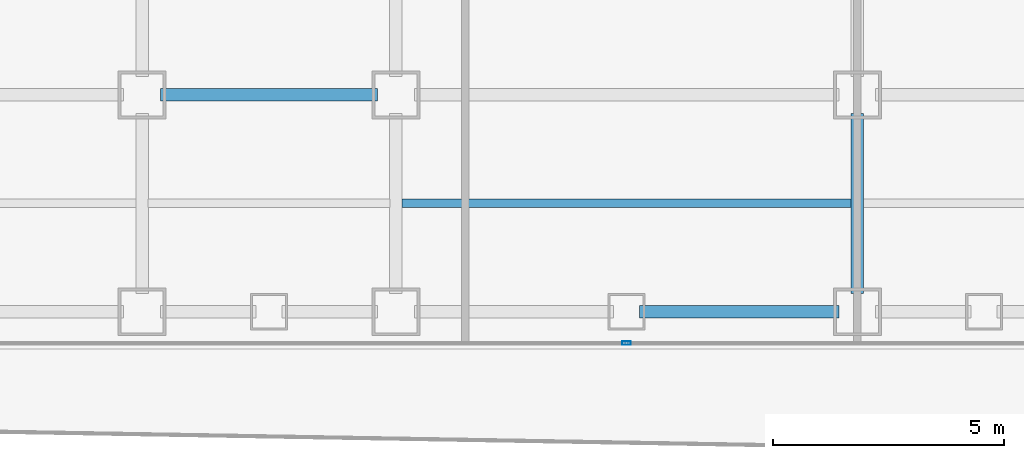
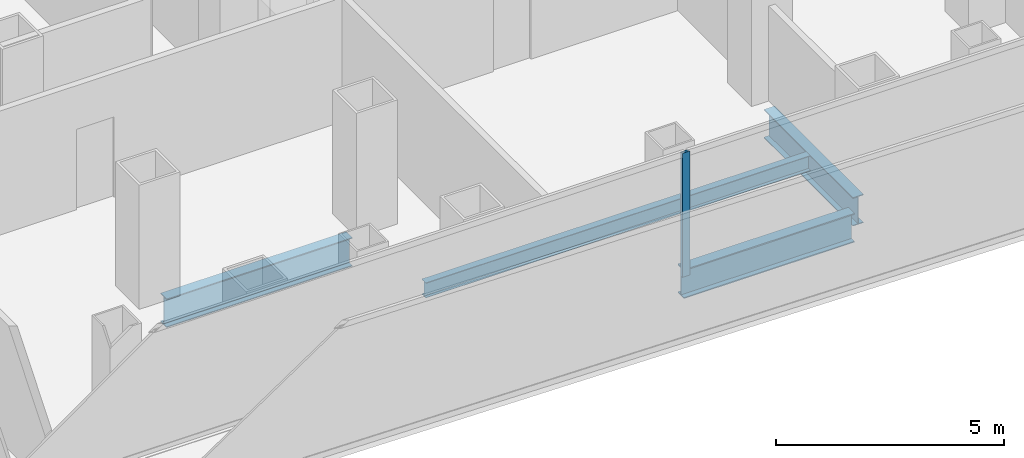
# One storey, part 4 of 21: 4 beams, 1 member, 1 element without a shape of its own.
"""IFC4 building model written with IfcOpenShell, lengths in metres."""

import ifcopenshell
import ifcopenshell.guid

model = None  # the IFC model being written
_history = None  # IfcOwnerHistory: only IFC2X3 demands one
_inside = {}  # id of a spatial element -> (the spatial element, [elements in it])
_under = {}  # id of a project, library or spatial element -> (it, [spatial elements below it])
_declared = {}  # id of a project -> (the project, [libraries it declares])
_typed = {}  # id of a type object -> (the type object, [elements of that type])
_made_of = {}  # id of a material, layer set ... -> (it, [elements and type objects made of it])


def new_model(schema):
    """Start an empty IFC model of exactly this schema.

    Asked for "IFC4X3", IfcOpenShell would pick the latest addendum, in which some entities
    have other attributes; the version numbers below select the first issue.
    IFC2X3 requires an IfcOwnerHistory on every rooted entity: one is made here for all.
    """
    global model, _history
    if schema == "IFC4X3":
        model = ifcopenshell.file(schema_version=(4, 3, 0, 0))
    else:
        model = ifcopenshell.file(schema=schema)
    _inside.clear()
    _under.clear()
    _declared.clear()
    _typed.clear()
    _made_of.clear()
    _history = None
    if model.schema == "IFC2X3":
        org = make("IfcOrganization", Name="unknown")
        user = make(
            "IfcPersonAndOrganization",
            ThePerson=make("IfcPerson", FamilyName="unknown"),
            TheOrganization=org,
        )
        app = make(
            "IfcApplication",
            ApplicationDeveloper=org,
            Version="unknown",
            ApplicationFullName="unknown",
            ApplicationIdentifier="unknown",
        )
        _history = make(
            "IfcOwnerHistory",
            OwningUser=user,
            OwningApplication=app,
            ChangeAction="ADDED",
            CreationDate=0,
        )
    return model


def make(cls, **values):
    """One entity of the class cls with the attributes given. An attribute that is None is left unset."""
    return model.create_entity(
        cls, **{name: value for name, value in values.items() if value is not None}
    )


def rooted(cls, **values):
    """An entity with a GlobalId (a new one), such as an element, a storey or a relation."""
    return make(cls, GlobalId=ifcopenshell.guid.new(), OwnerHistory=_history, **values)


def si_unit(unit_type, name, prefix=None):
    """IfcSIUnit, for example si_unit("LENGTHUNIT", "METRE", prefix="MILLI")."""
    return make("IfcSIUnit", UnitType=unit_type, Prefix=prefix, Name=name)


def assignment(units):
    """IfcUnitAssignment: the units of a project."""
    return None if units is None else make("IfcUnitAssignment", Units=units)


def point(xyz):
    """IfcCartesianPoint."""
    return None if xyz is None else make("IfcCartesianPoint", Coordinates=xyz)


def direction(xyz):
    """IfcDirection."""
    return None if xyz is None else make("IfcDirection", DirectionRatios=xyz)


def frame(location, z_axis=None, x_axis=None):
    """IfcAxis2Placement3D, a coordinate frame: its origin and axes. An axis left out is left unset."""
    return make(
        "IfcAxis2Placement3D",
        Location=point(location),
        Axis=direction(z_axis),
        RefDirection=direction(x_axis),
    )


def frame_2d(location, x_axis=None):
    """IfcAxis2Placement2D, a coordinate frame in the plane: its origin and x axis."""
    return make(
        "IfcAxis2Placement2D", Location=point(location), RefDirection=direction(x_axis)
    )


def origin():
    """The frame at (0, 0, 0) with its axes left unset."""
    return frame((0.0, 0.0, 0.0))


def origin_2d():
    """The frame at (0, 0) in the plane with its x axis left unset."""
    return frame_2d((0.0, 0.0))


def place(relative_to, where):
    """IfcLocalPlacement: puts the frame where relative to a parent placement (None: the world)."""
    return make(
        "IfcLocalPlacement", PlacementRelTo=relative_to, RelativePlacement=where
    )


def context(
    kind, dimensions, precision=None, world=None, true_north=None, identifier=None
):
    """IfcGeometricRepresentationContext, for example the 3D "Model" context."""
    return make(
        "IfcGeometricRepresentationContext",
        ContextIdentifier=identifier,
        ContextType=kind,
        CoordinateSpaceDimension=dimensions,
        Precision=precision,
        WorldCoordinateSystem=world,
        TrueNorth=true_north,
    )


def subcontext(parent, identifier, kind, view, scale=None):
    """IfcGeometricRepresentationSubContext, for example "Body" below "Model"."""
    return make(
        "IfcGeometricRepresentationSubContext",
        ContextIdentifier=identifier,
        ContextType=kind,
        ParentContext=parent,
        TargetScale=scale,
        TargetView=view,
    )


def project(units=None, contexts=None):
    """IfcProject with its units and contexts."""
    return rooted(
        "IfcProject",
        Name="project",
        RepresentationContexts=contexts,
        UnitsInContext=assignment(units),
    )


def spatial(cls, under=None, at=None, **own):
    """A site, building, storey or space (cls), placed at a placement, below another one or the project."""
    s = rooted(cls, ObjectPlacement=at, **own)
    if under is not None:
        _under.setdefault(under.id(), (under, []))[1].append(s)
    return s


def profile(cls, at=None, kind="AREA", **sizes):
    """A parametric profile (cls). Its sizes go by their IFC names, for example OverallWidth=200.0."""
    return make(cls, ProfileType=kind, Position=at, **sizes)


def hollow_rectangle(**sizes):
    """IfcRectangleHollowProfileDef."""
    return profile("IfcRectangleHollowProfileDef", **sizes)


def i_section(**sizes):
    """IfcIShapeProfileDef."""
    return profile("IfcIShapeProfileDef", **sizes)


def extrude(swept, where, along, depth):
    """IfcExtrudedAreaSolid: the profile swept, set in the frame where, extruded along a direction by depth."""
    return make(
        "IfcExtrudedAreaSolid",
        SweptArea=swept,
        Position=where,
        ExtrudedDirection=direction(along),
        Depth=depth,
    )


def shape(context_of_items, identifier, shape_type, items):
    """IfcShapeRepresentation: the items that make up one representation, for example the "Body"."""
    return make(
        "IfcShapeRepresentation",
        ContextOfItems=context_of_items,
        RepresentationIdentifier=identifier,
        RepresentationType=shape_type,
        Items=items,
    )


def source(mapping_origin, context_of_items, identifier, shape_type, items):
    """IfcRepresentationMap: a shape defined once, which mapped items show again and again."""
    return make(
        "IfcRepresentationMap",
        MappingOrigin=mapping_origin,
        MappedRepresentation=shape(context_of_items, identifier, shape_type, items),
    )


def transform(
    local_origin,
    x_axis=None,
    y_axis=None,
    z_axis=None,
    scale=None,
    scale2=None,
    scale3=None,
    uniform=True,
):
    """IfcCartesianTransformationOperator3D, or its non-uniform kind. x_axis, y_axis, z_axis: its Axis1, 2, 3."""
    if uniform:
        return make(
            "IfcCartesianTransformationOperator3D",
            Axis1=direction(x_axis),
            Axis2=direction(y_axis),
            LocalOrigin=point(local_origin),
            Scale=scale,
            Axis3=direction(z_axis),
        )
    return make(
        "IfcCartesianTransformationOperator3DnonUniform",
        Axis1=direction(x_axis),
        Axis2=direction(y_axis),
        LocalOrigin=point(local_origin),
        Scale=scale,
        Axis3=direction(z_axis),
        Scale2=scale2,
        Scale3=scale3,
    )


def mapped(mapping_source, mapping_target):
    """IfcMappedItem: shows the shape of a source again, moved by a transform."""
    return make(
        "IfcMappedItem", MappingSource=mapping_source, MappingTarget=mapping_target
    )


def material(Name=None, Category=None):
    """IfcMaterial."""
    return make("IfcMaterial", Name=Name, Category=Category)


def layer(
    of_material, thickness, ventilated=None, Name=None, Category=None, Priority=None
):
    """IfcMaterialLayer: one layer of a wall or slab, of a material (None: an air gap)."""
    return make(
        "IfcMaterialLayer",
        Material=of_material,
        LayerThickness=thickness,
        IsVentilated=ventilated,
        Name=Name,
        Category=Category,
        Priority=Priority,
    )


def layer_set(layers, Name=None):
    """IfcMaterialLayerSet."""
    return make("IfcMaterialLayerSet", MaterialLayers=layers, LayerSetName=Name)


def material_profile(
    of_material, cross_section, Name=None, Category=None, Priority=None
):
    """IfcMaterialProfile: a cross section and its material."""
    return make(
        "IfcMaterialProfile",
        Name=Name,
        Material=of_material,
        Profile=cross_section,
        Priority=Priority,
        Category=Category,
    )


def profile_set(profiles, Name=None, composite=None):
    """IfcMaterialProfileSet."""
    return make(
        "IfcMaterialProfileSet",
        Name=Name,
        MaterialProfiles=profiles,
        CompositeProfile=composite,
    )


def made_of(thing, what):
    """Note that an element or type object is made of a material, layer set ...; save() writes the relation."""
    if what is not None:
        _made_of.setdefault(what.id(), (what, []))[1].append(thing)
    return thing


def type_object(cls, material=None, **own):
    """A type object (cls), such as IfcWallType, which elements share."""
    return made_of(rooted(cls, **own), material)


def element(
    cls,
    number,
    at=None,
    inside=None,
    cuts=None,
    type_object=None,
    material=None,
    context=None,
    identifier="Body",
    shape_type=None,
    held_by="IfcProductDefinitionShape",
    body=None,
    shapes=None,
    **own,
):
    """One element of the class cls, such as IfcWall. Its Tag is "e" and its number.

    at: its placement. inside: the storey or other place that contains it. cuts: it is an
    opening in that element (IfcRelVoidsElement). A single representation is given by context,
    identifier, shape_type and body (its items); several are given by shapes. held_by: the class
    of the entity that holds the representations. save() writes the other relations.
    """
    e = rooted(cls, Tag="e%d" % number, ObjectPlacement=at, **own)
    if body is not None:
        shapes = [shape(context, identifier, shape_type, body)]
    if shapes is not None:
        e.Representation = make(held_by, Representations=shapes)
    if inside is not None:
        _inside.setdefault(inside.id(), (inside, []))[1].append(e)
    if cuts is not None:
        rooted(
            "IfcRelVoidsElement", RelatingBuildingElement=cuts, RelatedOpeningElement=e
        )
    if type_object is not None:
        _typed.setdefault(type_object.id(), (type_object, []))[1].append(e)
    return made_of(e, material)


def aggregate(whole, parts):
    """IfcRelAggregates: a whole, such as a stair, and the parts it consists of."""
    return rooted("IfcRelAggregates", RelatingObject=whole, RelatedObjects=parts)


def save(model, path):
    """Write the relations noted so far, then the file.

    IfcRelAggregates (storeys below a building ...), IfcRelContainedInSpatialStructure (elements
    in a storey), IfcRelDefinesByType, IfcRelAssociatesMaterial and IfcRelDeclares: one each for
    every whole, place, type object, material and project.
    """
    for whole, parts in _under.values():
        aggregate(whole, parts)
    for where, things in _inside.values():
        rooted(
            "IfcRelContainedInSpatialStructure",
            RelatedElements=things,
            RelatingStructure=where,
        )
    for kind, things in _typed.values():
        rooted("IfcRelDefinesByType", RelatedObjects=things, RelatingType=kind)
    for what, things in _made_of.values():
        rooted("IfcRelAssociatesMaterial", RelatedObjects=things, RelatingMaterial=what)
    for by, libraries in _declared.values():
        rooted("IfcRelDeclares", RelatingContext=by, RelatedDefinitions=libraries)
    model.write(path)


model = new_model("IFC4")

# Units and contexts
model_context = context("Model", 3, precision=1e-05, world=origin(), true_north=direction((0.0, 1.0)))
body_context = subcontext(model_context, "Body", "Model", "MODEL_VIEW")
ifc_project = project(units=[si_unit("LENGTHUNIT", "METRE"), si_unit("AREAUNIT", "SQUARE_METRE"), si_unit("VOLUMEUNIT", "CUBIC_METRE"), si_unit("PLANEANGLEUNIT", "RADIAN"), si_unit("MASSUNIT", "GRAM", prefix="KILO")], contexts=[model_context])

# Site, building, storey
site_placement = place(None, origin())
site = spatial("IfcSite", under=ifc_project, at=site_placement, CompositionType="ELEMENT")
building_placement = place(site_placement, origin())
building = spatial("IfcBuilding", under=site, at=building_placement, Name="Kolveth Station Tower", CompositionType="ELEMENT")
storey_placement = place(building_placement, frame((0.0, 0.0, 36.89990234375)))
storey = spatial("IfcBuildingStorey", under=building, at=storey_placement, Name="L09", CompositionType="ELEMENT", Elevation=36.89990234375)

# Beams
ifc_material_1 = material(Name="Steel S355", Category="steel")
ifc_material_profile_1 = material_profile(ifc_material_1, i_section(OverallWidth=0.26904296875, OverallDepth=0.77490234375, WebThickness=0.01708984375, FlangeThickness=0.0283203125, at=origin_2d()), Name="W760x220")
ifc_profile_set_1 = profile_set([ifc_material_profile_1], Name="Steel S355")
beam_type_1 = type_object("IfcBeamType", Name="Beam_SP1", PredefinedType="SPANDREL", material=ifc_profile_set_1)
shared_shape_1 = source(origin(), body_context, "Body", "SweptSolid", [
    extrude(i_section(OverallWidth=0.26904296875, OverallDepth=0.77490234375, WebThickness=0.01708984375, FlangeThickness=0.0283203125, at=origin_2d()), origin(), (0.0, 0.0, 1.0), 4.320068359375),
])
beam_1_placement = place(storey_placement, frame((23.780029296875, 0.800048828125, -0.66748046875), z_axis=(1.0, 0.0, 0.0), x_axis=(0.0, 1.0, 0.0)))
element("IfcBeam", 1, at=beam_1_placement, inside=storey, type_object=beam_type_1, Name="L09 Perimeter Spandrel BM-L09-PS-6", PredefinedType="SPANDREL", context=body_context, shape_type="MappedRepresentation", body=[
    mapped(shared_shape_1, transform((0.0, 0.0, 0.0), x_axis=(1.0, 0.0, 0.0), y_axis=(0.0, 1.0, 0.0), z_axis=(0.0, 0.0, 1.0), scale=1.0)),
])
ifc_material_profile_2 = material_profile(ifc_material_1, i_section(OverallWidth=0.26708984375, OverallDepth=0.76611328125, WebThickness=0.014892578125, FlangeThickness=0.023681640625, at=origin_2d()), Name="W760x185")
ifc_profile_set_2 = profile_set([ifc_material_profile_2], Name="Steel S355")
beam_type_2 = type_object("IfcBeamType", Name="Beam_B3", PredefinedType="BEAM", material=ifc_profile_set_2)
shared_shape_2 = source(origin(), body_context, "Body", "SweptSolid", [
    extrude(i_section(OverallWidth=0.26708984375, OverallDepth=0.76611328125, WebThickness=0.014892578125, FlangeThickness=0.023681640625, at=origin_2d()), origin(), (0.0, 0.0, 1.0), 4.7001953125),
])
beam_2_placement = place(storey_placement, frame((13.39990234375, 5.5, -0.662841796875), z_axis=(1.0, 0.0, 0.0), x_axis=(0.0, 1.0, 0.0)))
element("IfcBeam", 2, at=beam_2_placement, inside=storey, type_object=beam_type_2, Name="L09 Primary Girder BM-L09-GY55-3", PredefinedType="BEAM", context=body_context, shape_type="MappedRepresentation", body=[
    mapped(shared_shape_2, transform((0.0, 0.0, 0.0), x_axis=(1.0, 0.0, 0.0), y_axis=(0.0, 1.0, 0.0), z_axis=(0.0, 0.0, 1.0), scale=1.0)),
])
shared_shape_3 = source(origin(), body_context, "Body", "SweptSolid", [
    extrude(i_section(OverallWidth=0.26708984375, OverallDepth=0.76611328125, WebThickness=0.014892578125, FlangeThickness=0.023681640625, at=origin_2d()), origin(), (0.0, 0.0, 1.0), 3.900146484375),
])
beam_3_placement = place(storey_placement, frame((28.5, 1.199951171875, -0.662841796875), z_axis=(0.0, 1.0, 0.0), x_axis=(-1.0, 0.0, 0.0)))
element("IfcBeam", 3, at=beam_3_placement, inside=storey, type_object=beam_type_2, Name="L09 Primary Girder BM-L09-GX285-1", PredefinedType="BEAM", context=body_context, shape_type="MappedRepresentation", body=[
    mapped(shared_shape_3, transform((0.0, 0.0, 0.0), x_axis=(1.0, 0.0, 0.0), y_axis=(0.0, 1.0, 0.0), z_axis=(0.0, 0.0, 1.0), scale=1.0)),
])
ifc_material_profile_3 = material_profile(ifc_material_1, i_section(OverallWidth=0.177978515625, OverallDepth=0.406982421875, WebThickness=0.0078125, FlangeThickness=0.0126953125, at=origin_2d()), Name="W410x60")
ifc_profile_set_3 = profile_set([ifc_material_profile_3], Name="Steel S355")
beam_type_3 = type_object("IfcBeamType", Name="Beam_J1", PredefinedType="JOIST", material=ifc_profile_set_3)
shared_shape_4 = source(origin(), body_context, "Body", "SweptSolid", [
    extrude(i_section(OverallWidth=0.177978515625, OverallDepth=0.406982421875, WebThickness=0.0078125, FlangeThickness=0.0126953125, at=origin_2d()), origin(), (0.0, 0.0, 1.0), 9.73681640625),
])
beam_4_placement = place(storey_placement, frame((18.631591796875, 3.14990234375, -0.4833984375), z_axis=(1.0, 0.0, 0.0), x_axis=(0.0, 1.0, 0.0)))
element("IfcBeam", 4, at=beam_4_placement, inside=storey, type_object=beam_type_3, Name="L09 Secondary Joist JST-L09-4-1", PredefinedType="JOIST", context=body_context, shape_type="MappedRepresentation", body=[
    mapped(shared_shape_4, transform((0.0, 0.0, 0.0), x_axis=(1.0, 0.0, 0.0), y_axis=(0.0, 1.0, 0.0), z_axis=(0.0, 0.0, 1.0), scale=1.0)),
])

# Curtain wall, member
ifc_material_2 = material(Name="Aluminium 6063-T6 and low-E dark glass", Category="aluminium")
ifc_layer = layer(ifc_material_2, 0.179931640625)
ifc_layer_set = layer_set([ifc_layer], Name="Aluminium 6063-T6 and low-E dark glass")
curtain_wall_type = type_object("IfcCurtainWallType", Name="CurtainWall_CW-Z1", PredefinedType="NOTDEFINED", material=ifc_layer_set)
curtain_wall_placement = place(storey_placement, origin())
curtain_wall = element("IfcCurtainWall", 5, at=curtain_wall_placement, inside=storey, type_object=curtain_wall_type, Name="L09 Inner Thermal Curtain Wall 12", PredefinedType="NOTDEFINED")
ifc_material_3 = material(Name="Black anodized aluminium 6063-T6", Category="aluminium")
ifc_material_profile_4 = material_profile(ifc_material_3, hollow_rectangle(XDim=0.074951171875, YDim=0.18994140625, WallThickness=0.0048828125, at=origin_2d()), Name="ALU-75x190x5")
ifc_profile_set_4 = profile_set([ifc_material_profile_4], Name="Black anodized aluminium 6063-T6")
member_type = type_object("IfcMemberType", Name="Mullion_ML1", PredefinedType="MULLION", material=ifc_profile_set_4)
shared_shape_5 = source(origin(), body_context, "Body", "SweptSolid", [
    extrude(hollow_rectangle(XDim=0.074951171875, YDim=0.18994140625, WallThickness=0.0048828125, at=origin_2d()), origin(), (0.0, 0.0, 1.0), 3.320068359375),
])
member_placement = place(storey_placement, frame((23.5, 0.1201171875, 0.0), z_axis=(0.0, 0.0, 1.0), x_axis=(0.0, 1.0, 0.0)))
member = element("IfcMember", 6, at=member_placement, type_object=member_type, Name="CW-Z1 mullion 2", PredefinedType="MULLION", context=body_context, shape_type="MappedRepresentation", body=[
    mapped(shared_shape_5, transform((0.0, 0.0, 0.0), x_axis=(1.0, 0.0, 0.0), y_axis=(0.0, 1.0, 0.0), z_axis=(0.0, 0.0, 1.0), scale=1.0)),
])
aggregate(curtain_wall, [member])

save(model, "model.ifc")
